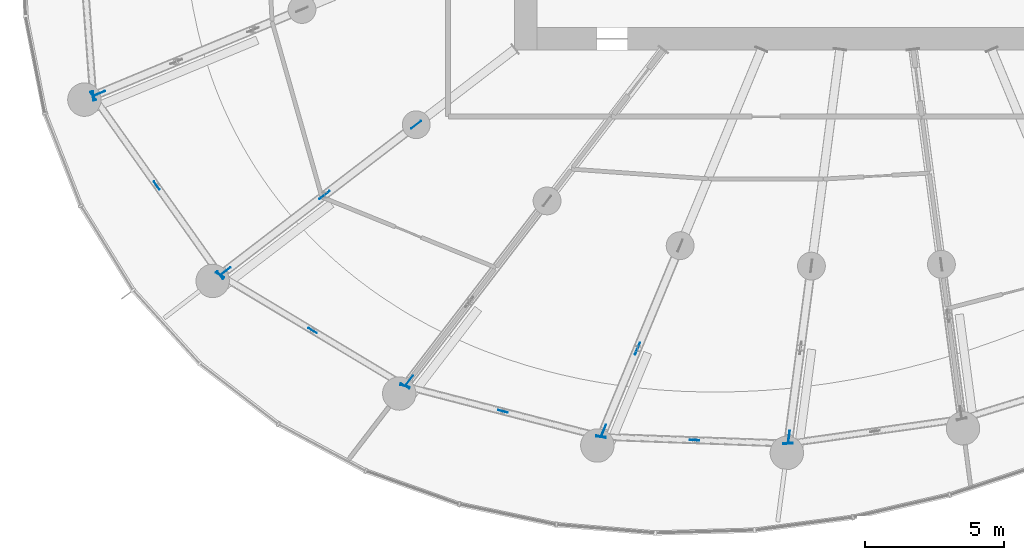
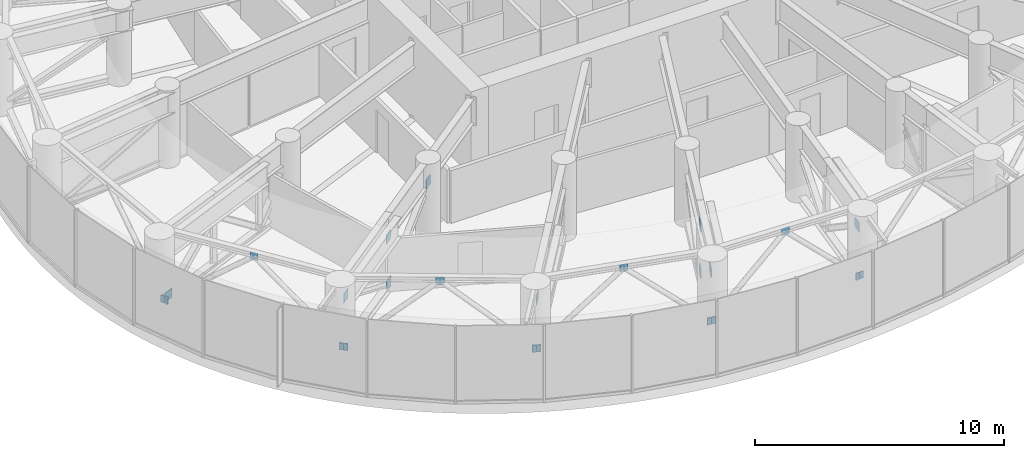
# One storey, part 21 of 33: 24 discrete accessories.
"""IFC4 building model written with IfcOpenShell, lengths in metres."""

from ifc_helpers import new_model, si_unit, direction, frame, origin, origin_2d, place, context, subcontext, project, spatial, rectangle, extrude, source, transform, mapped, material, layer, layer_set, type_object, element, save


model = new_model("IFC4")

# Units and contexts
model_context = context("Model", 3, precision=1e-05, world=origin(), true_north=direction((0.0, 1.0)))
body_context = subcontext(model_context, "Body", "Model", "MODEL_VIEW")
ifc_project = project(units=[si_unit("LENGTHUNIT", "METRE"), si_unit("AREAUNIT", "SQUARE_METRE"), si_unit("VOLUMEUNIT", "CUBIC_METRE"), si_unit("PLANEANGLEUNIT", "RADIAN"), si_unit("MASSUNIT", "GRAM", prefix="KILO")], contexts=[model_context])

# Site, building, storey
site_placement = place(None, origin())
site = spatial("IfcSite", under=ifc_project, at=site_placement, CompositionType="ELEMENT")
building_placement = place(site_placement, origin())
building = spatial("IfcBuilding", under=site, at=building_placement, Name="Spindrift Exchange Tower", CompositionType="ELEMENT")
storey_placement = place(building_placement, frame((0.0, 0.0, 129.0)))
storey = spatial("IfcBuildingStorey", under=building, at=storey_placement, Name="L30", CompositionType="ELEMENT", Elevation=129.0)

# Discrete accessories
ifc_material = material(Name="Steel Grade 350", Category="steel")
ifc_layer_1 = layer(ifc_material, 0.02490234375)
ifc_layer_set_1 = layer_set([ifc_layer_1], Name="Gusset plate 450x450x25 Steel Grade 350")
discrete_accessory_type_1 = type_object("IfcDiscreteAccessoryType", Name="Gusset plate 450x450x25 Steel Grade 350", PredefinedType="USERDEFINED", material=ifc_layer_set_1)
shared_shape_1 = source(origin(), body_context, "Body", "SweptSolid", [
    extrude(rectangle(XDim=0.449951171875, YDim=0.02490234375, at=origin_2d()), origin(), (0.0, 0.0, 1.0), 0.449951171875),
])
for number, where, z_axis, x_axis, name in (
    (1, (24.080322265625, 36.435302734375, 0.09619140625), (0.0, 0.0, 1.0), (-0.923880868323, -0.382680207415, 0.0), "L30 gusset plate GP1 14"),
    (2, (35.465087890625, 35.3125, 2.35498046875), (0.0, 0.0, 1.0), (-0.793358652707, -0.608754505672, 0.0), "L30 gusset plate GP1 15"),
    (3, (32.174072265625, 32.787109375, 0.09619140625), (0.0, 0.0, 1.0), (-0.793358652707, -0.608754505672, 0.0), "L30 gusset plate GP1 15"),
    (4, (28.61181640625, 30.0537109375, 2.35498046875), (0.0, 0.0, 1.0), (-0.793350152813, -0.608765582989, 0.0), "L30 gusset plate GP1 15"),
    (5, (32.174072265625, 32.787109375, 2.35498046875), (0.0, 0.0, 1.0), (-0.793353340291, -0.608761429009, 0.0), "L30 gusset plate GP1 15"),
    (6, (35.207275390625, 26.115234375, 2.35498046875), (0.0, 0.0, 1.0), (-0.608751736324, -0.793360777656, 0.0), "L30 gusset plate GP1 16"),
    (7, (43.4130859375, 27.26904296875, 0.09619140625), (0.0, 0.0, 1.0), (-0.382678594938, -0.923881536224, 0.0), "L30 gusset plate GP1 17"),
    (8, (42.193115234375, 24.32373046875, 2.35498046875), (0.0, 0.0, 1.0), (-0.38267698246, -0.923882204123, 0.0), "L30 gusset plate GP1 17"),
    (9, (43.4130859375, 27.26904296875, 2.35498046875), (0.0, 0.0, 1.0), (-0.382683432365, -0.923879532511, 0.0), "L30 gusset plate GP1 17"),
    (10, (48.853271484375, 24.09814453125, 2.35498046875), (0.0, 0.0, 1.0), (-0.130517540226, -0.991446000392, 0.0), "L30 gusset plate GP1 18"),
):
    element("IfcDiscreteAccessory", number, at=place(storey_placement, frame(where, z_axis=z_axis, x_axis=x_axis)), inside=storey, type_object=discrete_accessory_type_1, Name=name, ObjectType="Gusset plate", PredefinedType="USERDEFINED", context=body_context, shape_type="MappedRepresentation", body=[
        mapped(shared_shape_1, transform((0.0, 0.0, 0.0), scale=1.0)),
    ])
ifc_layer_2 = layer(ifc_material, 0.02001953125)
ifc_layer_set_2 = layer_set([ifc_layer_2], Name="Gusset plate 350x350x20 Steel Grade 350")
discrete_accessory_type_2 = type_object("IfcDiscreteAccessoryType", Name="Gusset plate 350x350x20 Steel Grade 350", PredefinedType="USERDEFINED", material=ifc_layer_set_2)
shared_shape_2 = source(origin(), body_context, "Body", "SweptSolid", [
    extrude(rectangle(XDim=0.35009765625, YDim=0.02001953125, at=origin_2d()), origin(), (0.0, 0.0, 1.0), 0.35009765625),
])
for number, where, z_axis, x_axis, name in (
    (11, (23.858642578125, 36.343505859375, 0.078857421875), (0.0, 0.0, 1.0), (0.073168571264, -0.997319587785, 0.0), "L30 gusset plate GP2 13"),
    (12, (23.858642578125, 36.343505859375, 0.078857421875), (0.0, 0.0, 1.0), (0.578368880861, -0.815775359797, 0.0), "L30 gusset plate GP2 14"),
    (13, (26.14013671875, 33.12548828125, 3.350830078125), (0.0, 0.0, 1.0), (0.578368880861, -0.815775359797, 0.0), "L30 gusset plate GP2 14"),
    (14, (28.42138671875, 29.90771484375, 0.078857421875), (0.0, 0.0, 1.0), (0.578364609463, -0.815778388118, 0.0), "L30 gusset plate GP2 14"),
    (15, (28.42138671875, 29.90771484375, 0.078857421875), (0.0, 0.0, 1.0), (0.857566159785, -0.514373678945, 0.0), "L30 gusset plate GP2 15"),
    (16, (31.741455078125, 27.916259765625, 3.350830078125), (0.0, 0.0, 1.0), (0.857566159785, -0.514373678945, 0.0), "L30 gusset plate GP2 15"),
    (17, (35.061279296875, 25.9248046875, 0.078857421875), (0.0, 0.0, 1.0), (0.857547306429, -0.514405110041, 0.0), "L30 gusset plate GP2 15"),
    (18, (35.061279296875, 25.9248046875, 0.078857421875), (0.0, 0.0, 1.0), (0.968074620999, -0.250662179393, 0.0), "L30 gusset plate GP2 16"),
    (19, (38.5810546875, 25.013427734375, 3.350830078125), (0.0, 0.0, 1.0), (0.968074620999, -0.250662179393, 0.0), "L30 gusset plate GP2 16"),
    (20, (42.10107421875, 24.10205078125, 0.078857421875), (0.0, 0.0, 1.0), (0.968069808452, -0.250680765046, 0.0), "L30 gusset plate GP2 16"),
    (21, (42.10107421875, 24.10205078125, 0.078857421875), (0.0, 0.0, 1.0), (0.999354485014, -0.035925106579, 0.0), "L30 gusset plate GP2 17"),
    (22, (45.46142578125, 23.981201171875, 3.350830078125), (0.0, 0.0, 1.0), (0.999354485014, -0.035925106579, 0.0), "L30 gusset plate GP2 17"),
    (23, (48.822021484375, 23.8603515625, 0.078857421875), (0.0, 0.0, 1.0), (0.999353481406, -0.035953013807, 0.0), "L30 gusset plate GP2 17"),
    (24, (48.822021484375, 23.8603515625, 0.078857421875), (0.0, 0.0, 1.0), (0.990171154486, 0.139860948171, 0.0), "L30 gusset plate GP2 18"),
):
    element("IfcDiscreteAccessory", number, at=place(storey_placement, frame(where, z_axis=z_axis, x_axis=x_axis)), inside=storey, type_object=discrete_accessory_type_2, Name=name, ObjectType="Gusset plate", PredefinedType="USERDEFINED", context=body_context, shape_type="MappedRepresentation", body=[
        mapped(shared_shape_2, transform((0.0, 0.0, 0.0), scale=1.0)),
    ])

save(model, "model.ifc")
